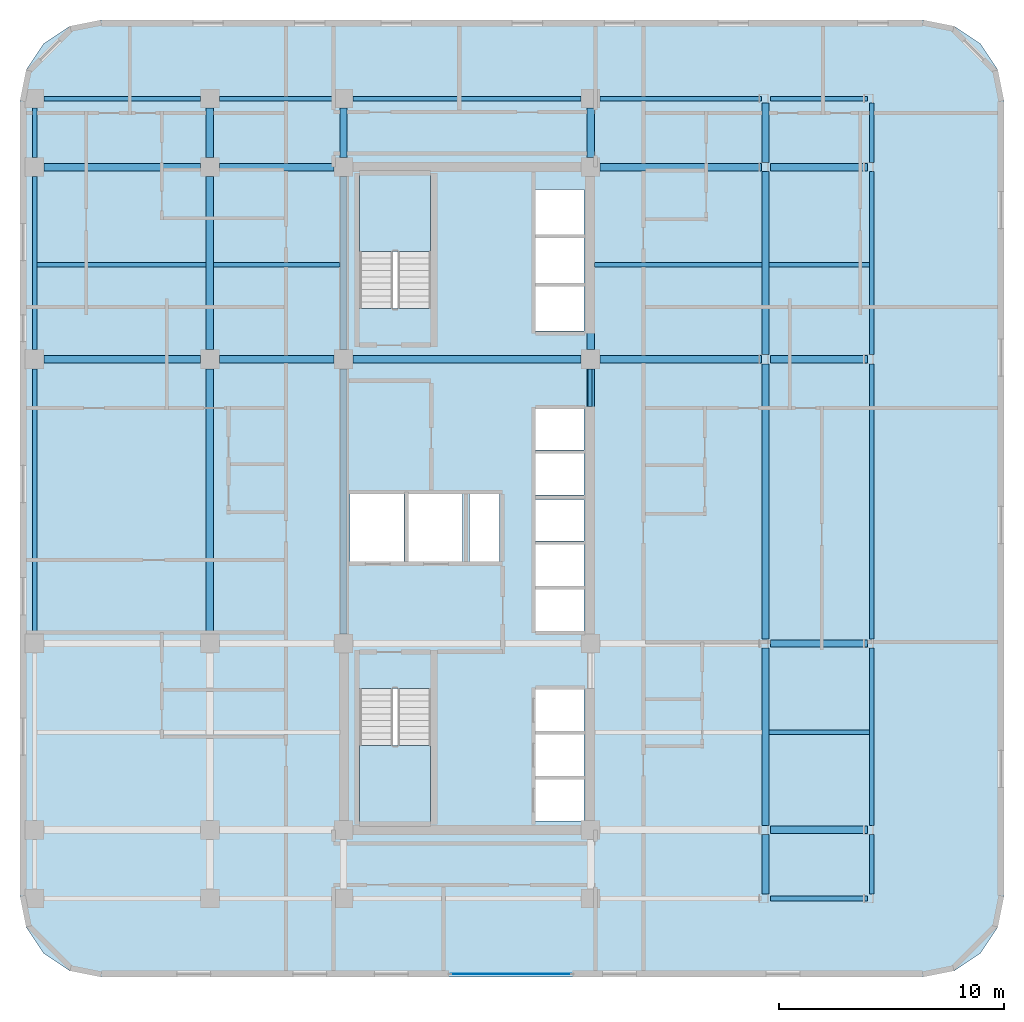
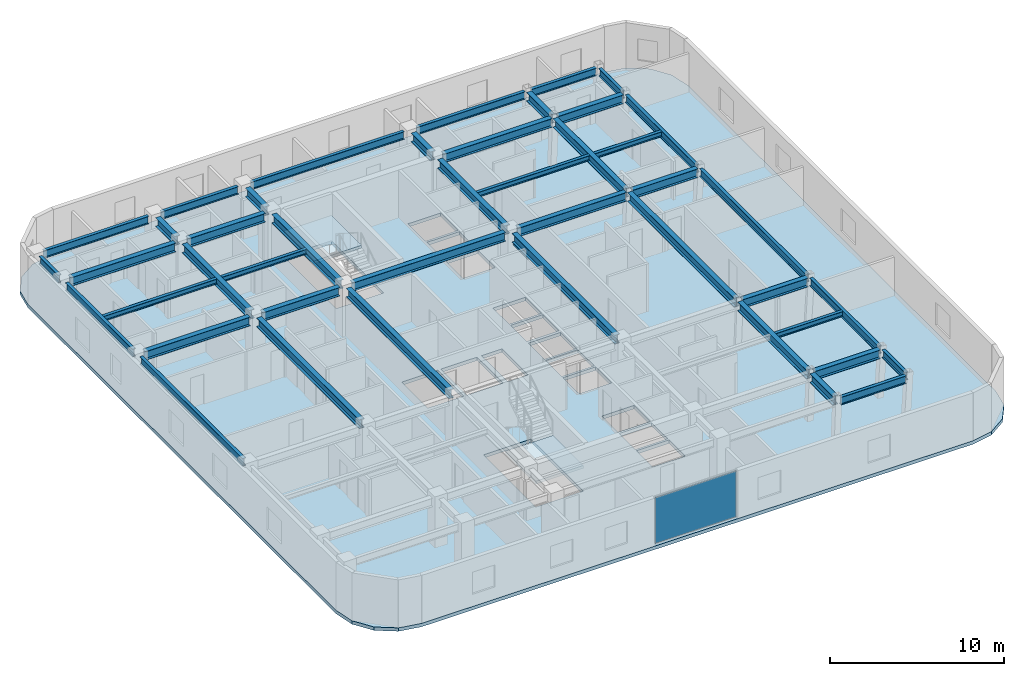
# One storey, part 3 of 9: 45 beams, 3 slabs, 1 plate, 3 elements without a shape of their own.
"""IFC4 building model written with IfcOpenShell, lengths in metres."""

from ifc_helpers import new_model, si_unit, direction, frame, origin, origin_2d, place, context, subcontext, project, spatial, polyline, rectangle, i_section, outline, extrude, material, layer, layer_set, material_profile, profile_set, type_object, element, aggregate, save


model = new_model("IFC4")

# Units and contexts
model_context = context("Model", 3, precision=1e-05, world=origin(), true_north=direction((0.0, 1.0)))
body_context = subcontext(model_context, "Body", "Model", "MODEL_VIEW")
ifc_project = project(units=[si_unit("LENGTHUNIT", "METRE"), si_unit("AREAUNIT", "SQUARE_METRE"), si_unit("VOLUMEUNIT", "CUBIC_METRE"), si_unit("PLANEANGLEUNIT", "RADIAN"), si_unit("MASSUNIT", "GRAM", prefix="KILO")], contexts=[model_context])

# Site, building, storey
site_placement = place(None, origin())
site = spatial("IfcSite", under=ifc_project, at=site_placement, CompositionType="ELEMENT")
building_placement = place(site_placement, origin())
building = spatial("IfcBuilding", under=site, at=building_placement, Name="Ochreholt Gables", CompositionType="ELEMENT")
storey_placement = place(building_placement, frame((0.0, 0.0, 84.0)))
storey = spatial("IfcBuildingStorey", under=building, at=storey_placement, Name="L21", CompositionType="ELEMENT", Elevation=84.0)

# Beams
ifc_material_1 = material(Name="Steel CSA G40.21 350W", Category="steel")
ifc_material_profile_1 = material_profile(ifc_material_1, i_section(OverallWidth=0.323974609375, OverallDepth=0.611083984375, WebThickness=0.0126953125, FlangeThickness=0.01904296875, at=origin_2d()), Name="W610X155")
ifc_profile_set_1 = profile_set([ifc_material_profile_1], Name="Steel CSA G40.21 350W")
beam_type_1 = type_object("IfcBeamType", Name="BM-G-W610A", PredefinedType="BEAM", material=ifc_profile_set_1)
for number, where, z_axis, x_axis, name in (
    (1, (43.20458984375, 9.25, 3.054443359375), (1.0, 0.0, 0.0), (0.0, 1.0, 0.0), "L21 Beam TBG-L21-EMEE-Y2"),
    (2, (43.20458984375, 17.550048828125, 3.054443359375), (1.0, 0.0, 0.0), (0.0, 1.0, 0.0), "L21 Beam TBG-L21-EMEE-Y3"),
):
    element("IfcBeam", number, at=place(storey_placement, frame(where, z_axis=z_axis, x_axis=x_axis)), inside=storey, type_object=beam_type_1, Name=name, PredefinedType="BEAM", context=body_context, shape_type="SweptSolid", body=[
        extrude(i_section(OverallWidth=0.323974609375, OverallDepth=0.611083984375, WebThickness=0.0126953125, FlangeThickness=0.01904296875, at=origin_2d()), origin(), (0.0, 0.0, 1.0), 4.330322265625),
    ])
beam_1_placement = place(storey_placement, frame((10.87451171875, 30.199951171875, 3.054443359375), z_axis=(1.0, 0.0, 0.0), x_axis=(0.0, 1.0, 0.0)))
element("IfcBeam", 3, at=beam_1_placement, inside=storey, type_object=beam_type_1, Name="L21 Beam TBG-L21-W2W3-Y4", PredefinedType="BEAM", context=body_context, shape_type="SweptSolid", body=[
    extrude(i_section(OverallWidth=0.323974609375, OverallDepth=0.611083984375, WebThickness=0.0126953125, FlangeThickness=0.01904296875, at=origin_2d()), origin(), (0.0, 0.0, 1.0), 6.950927734375),
])
beam_2_placement = place(storey_placement, frame((18.674560546875, 30.199951171875, 3.054443359375), z_axis=(1.0, 0.0, 0.0), x_axis=(0.0, 1.0, 0.0)))
element("IfcBeam", 4, at=beam_2_placement, inside=storey, type_object=beam_type_1, Name="L21 Beam TBG-L21-W3C1-Y4", PredefinedType="BEAM", context=body_context, shape_type="SweptSolid", body=[
    extrude(i_section(OverallWidth=0.323974609375, OverallDepth=0.611083984375, WebThickness=0.0126953125, FlangeThickness=0.01904296875, at=origin_2d()), origin(), (0.0, 0.0, 1.0), 5.100830078125),
])
beam_3_placement = place(storey_placement, frame((24.62451171875, 30.199951171875, 3.054443359375), z_axis=(1.0, 0.0, 0.0), x_axis=(0.0, 1.0, 0.0)))
element("IfcBeam", 5, at=beam_3_placement, inside=storey, type_object=beam_type_1, Name="L21 Beam TBG-L21-C1C2-Y4", PredefinedType="BEAM", context=body_context, shape_type="SweptSolid", body=[
    extrude(i_section(OverallWidth=0.323974609375, OverallDepth=0.611083984375, WebThickness=0.0126953125, FlangeThickness=0.01904296875, at=origin_2d()), origin(), (0.0, 0.0, 1.0), 10.15087890625),
])
beam_4_placement = place(storey_placement, frame((35.62451171875, 30.199951171875, 3.054443359375), z_axis=(1.0, 0.0, 0.0), x_axis=(0.0, 1.0, 0.0)))
element("IfcBeam", 6, at=beam_4_placement, inside=storey, type_object=beam_type_1, Name="L21 Beam TBG-L21-C2EM-Y4", PredefinedType="BEAM", context=body_context, shape_type="SweptSolid", body=[
    extrude(i_section(OverallWidth=0.323974609375, OverallDepth=0.611083984375, WebThickness=0.0126953125, FlangeThickness=0.01904296875, at=origin_2d()), origin(), (0.0, 0.0, 1.0), 7.1748046875),
])
beam_5_placement = place(storey_placement, frame((43.20458984375, 30.199951171875, 3.054443359375), z_axis=(1.0, 0.0, 0.0), x_axis=(0.0, 1.0, 0.0)))
element("IfcBeam", 7, at=beam_5_placement, inside=storey, type_object=beam_type_1, Name="L21 Beam TBG-L21-EMEE-Y4", PredefinedType="BEAM", context=body_context, shape_type="SweptSolid", body=[
    extrude(i_section(OverallWidth=0.323974609375, OverallDepth=0.611083984375, WebThickness=0.0126953125, FlangeThickness=0.01904296875, at=origin_2d()), origin(), (0.0, 0.0, 1.0), 4.330322265625),
])
beam_6_placement = place(storey_placement, frame((10.87451171875, 38.75, 3.054443359375), z_axis=(1.0, 0.0, 0.0), x_axis=(0.0, 1.0, 0.0)))
element("IfcBeam", 8, at=beam_6_placement, inside=storey, type_object=beam_type_1, Name="L21 Beam TBG-L21-W2W3-Y5", PredefinedType="BEAM", context=body_context, shape_type="SweptSolid", body=[
    extrude(i_section(OverallWidth=0.323974609375, OverallDepth=0.611083984375, WebThickness=0.0126953125, FlangeThickness=0.01904296875, at=origin_2d()), origin(), (0.0, 0.0, 1.0), 6.950927734375),
])
beam_7_placement = place(storey_placement, frame((18.674560546875, 38.75, 3.054443359375), z_axis=(1.0, 0.0, 0.0), x_axis=(0.0, 1.0, 0.0)))
element("IfcBeam", 9, at=beam_7_placement, inside=storey, type_object=beam_type_1, Name="L21 Beam TBG-L21-W3C1-Y5", PredefinedType="BEAM", context=body_context, shape_type="SweptSolid", body=[
    extrude(i_section(OverallWidth=0.323974609375, OverallDepth=0.611083984375, WebThickness=0.0126953125, FlangeThickness=0.01904296875, at=origin_2d()), origin(), (0.0, 0.0, 1.0), 5.100830078125),
])
beam_8_placement = place(storey_placement, frame((35.62451171875, 38.75, 3.054443359375), z_axis=(1.0, 0.0, 0.0), x_axis=(0.0, 1.0, 0.0)))
element("IfcBeam", 10, at=beam_8_placement, inside=storey, type_object=beam_type_1, Name="L21 Beam TBG-L21-C2EM-Y5", PredefinedType="BEAM", context=body_context, shape_type="SweptSolid", body=[
    extrude(i_section(OverallWidth=0.323974609375, OverallDepth=0.611083984375, WebThickness=0.0126953125, FlangeThickness=0.01904296875, at=origin_2d()), origin(), (0.0, 0.0, 1.0), 7.1748046875),
])
beam_9_placement = place(storey_placement, frame((43.20458984375, 38.75, 3.054443359375), z_axis=(1.0, 0.0, 0.0), x_axis=(0.0, 1.0, 0.0)))
element("IfcBeam", 11, at=beam_9_placement, inside=storey, type_object=beam_type_1, Name="L21 Beam TBG-L21-EMEE-Y5", PredefinedType="BEAM", context=body_context, shape_type="SweptSolid", body=[
    extrude(i_section(OverallWidth=0.323974609375, OverallDepth=0.611083984375, WebThickness=0.0126953125, FlangeThickness=0.01904296875, at=origin_2d()), origin(), (0.0, 0.0, 1.0), 4.330322265625),
])
beam_10_placement = place(storey_placement, frame((18.25, 17.974609375, 3.054443359375), z_axis=(0.0, 1.0, 0.0), x_axis=(-1.0, 0.0, 0.0)))
element("IfcBeam", 12, at=beam_10_placement, inside=storey, type_object=beam_type_1, Name="L21 Beam TBN-L21-W3-Y3Y4", PredefinedType="BEAM", context=body_context, shape_type="SweptSolid", body=[
    extrude(i_section(OverallWidth=0.323974609375, OverallDepth=0.611083984375, WebThickness=0.0126953125, FlangeThickness=0.01904296875, at=origin_2d()), origin(), (0.0, 0.0, 1.0), 11.80078125),
])
beam_11_placement = place(storey_placement, frame((18.25, 30.62451171875, 3.054443359375), z_axis=(0.0, 1.0, 0.0), x_axis=(-1.0, 0.0, 0.0)))
element("IfcBeam", 13, at=beam_11_placement, inside=storey, type_object=beam_type_1, Name="L21 Beam TBN-L21-W3-Y4Y5", PredefinedType="BEAM", context=body_context, shape_type="SweptSolid", body=[
    extrude(i_section(OverallWidth=0.323974609375, OverallDepth=0.611083984375, WebThickness=0.0126953125, FlangeThickness=0.01904296875, at=origin_2d()), origin(), (0.0, 0.0, 1.0), 7.700927734375),
])
beam_12_placement = place(storey_placement, frame((18.25, 39.174560546875, 3.054443359375), z_axis=(0.0, 1.0, 0.0), x_axis=(-1.0, 0.0, 0.0)))
element("IfcBeam", 14, at=beam_12_placement, inside=storey, type_object=beam_type_1, Name="L21 Beam TBN-L21-W3-Y5Y6", PredefinedType="BEAM", context=body_context, shape_type="SweptSolid", body=[
    extrude(i_section(OverallWidth=0.323974609375, OverallDepth=0.611083984375, WebThickness=0.0126953125, FlangeThickness=0.01904296875, at=origin_2d()), origin(), (0.0, 0.0, 1.0), 2.200927734375),
])
beam_13_placement = place(storey_placement, frame((24.199951171875, 17.974609375, 3.054443359375), z_axis=(0.0, 1.0, 0.0), x_axis=(-1.0, 0.0, 0.0)))
element("IfcBeam", 15, at=beam_13_placement, inside=storey, type_object=beam_type_1, Name="L21 Beam TBN-L21-C1-Y3Y4", PredefinedType="BEAM", context=body_context, shape_type="SweptSolid", body=[
    extrude(i_section(OverallWidth=0.323974609375, OverallDepth=0.611083984375, WebThickness=0.0126953125, FlangeThickness=0.01904296875, at=origin_2d()), origin(), (0.0, 0.0, 1.0), 11.80078125),
])
beam_14_placement = place(storey_placement, frame((24.199951171875, 30.62451171875, 3.054443359375), z_axis=(0.0, 1.0, 0.0), x_axis=(-1.0, 0.0, 0.0)))
element("IfcBeam", 16, at=beam_14_placement, inside=storey, type_object=beam_type_1, Name="L21 Beam TBN-L21-C1-Y4Y5", PredefinedType="BEAM", context=body_context, shape_type="SweptSolid", body=[
    extrude(i_section(OverallWidth=0.323974609375, OverallDepth=0.611083984375, WebThickness=0.0126953125, FlangeThickness=0.01904296875, at=origin_2d()), origin(), (0.0, 0.0, 1.0), 7.700927734375),
])
beam_15_placement = place(storey_placement, frame((24.199951171875, 39.174560546875, 3.054443359375), z_axis=(0.0, 1.0, 0.0), x_axis=(-1.0, 0.0, 0.0)))
element("IfcBeam", 17, at=beam_15_placement, inside=storey, type_object=beam_type_1, Name="L21 Beam TBN-L21-C1-Y5Y6", PredefinedType="BEAM", context=body_context, shape_type="SweptSolid", body=[
    extrude(i_section(OverallWidth=0.323974609375, OverallDepth=0.611083984375, WebThickness=0.0126953125, FlangeThickness=0.01904296875, at=origin_2d()), origin(), (0.0, 0.0, 1.0), 2.200927734375),
])
beam_16_placement = place(storey_placement, frame((35.199951171875, 17.974609375, 3.054443359375), z_axis=(0.0, 1.0, 0.0), x_axis=(-1.0, 0.0, 0.0)))
element("IfcBeam", 18, at=beam_16_placement, inside=storey, type_object=beam_type_1, Name="L21 Beam TBN-L21-C2-Y3Y4", PredefinedType="BEAM", context=body_context, shape_type="SweptSolid", body=[
    extrude(i_section(OverallWidth=0.323974609375, OverallDepth=0.611083984375, WebThickness=0.0126953125, FlangeThickness=0.01904296875, at=origin_2d()), origin(), (0.0, 0.0, 1.0), 11.80078125),
])
beam_17_placement = place(storey_placement, frame((35.199951171875, 30.62451171875, 3.054443359375), z_axis=(0.0, 1.0, 0.0), x_axis=(-1.0, 0.0, 0.0)))
element("IfcBeam", 19, at=beam_17_placement, inside=storey, type_object=beam_type_1, Name="L21 Beam TBN-L21-C2-Y4Y5", PredefinedType="BEAM", context=body_context, shape_type="SweptSolid", body=[
    extrude(i_section(OverallWidth=0.323974609375, OverallDepth=0.611083984375, WebThickness=0.0126953125, FlangeThickness=0.01904296875, at=origin_2d()), origin(), (0.0, 0.0, 1.0), 7.700927734375),
])
beam_18_placement = place(storey_placement, frame((35.199951171875, 39.174560546875, 3.054443359375), z_axis=(0.0, 1.0, 0.0), x_axis=(-1.0, 0.0, 0.0)))
element("IfcBeam", 20, at=beam_18_placement, inside=storey, type_object=beam_type_1, Name="L21 Beam TBN-L21-C2-Y5Y6", PredefinedType="BEAM", context=body_context, shape_type="SweptSolid", body=[
    extrude(i_section(OverallWidth=0.323974609375, OverallDepth=0.611083984375, WebThickness=0.0126953125, FlangeThickness=0.01904296875, at=origin_2d()), origin(), (0.0, 0.0, 1.0), 2.200927734375),
])
beam_19_placement = place(storey_placement, frame((42.98486328125, 6.402587890625, 3.054443359375), z_axis=(0.0, 1.0, 0.0), x_axis=(-1.0, 0.0, 0.0)))
element("IfcBeam", 21, at=beam_19_placement, inside=storey, type_object=beam_type_1, Name="L21 Beam TBN-L21-EM-Y1Y2", PredefinedType="BEAM", context=body_context, shape_type="SweptSolid", body=[
    extrude(i_section(OverallWidth=0.323974609375, OverallDepth=0.611083984375, WebThickness=0.0126953125, FlangeThickness=0.01904296875, at=origin_2d()), origin(), (0.0, 0.0, 1.0), 2.644775390625),
])
beam_20_placement = place(storey_placement, frame((42.98486328125, 9.45263671875, 3.054443359375), z_axis=(0.0, 1.0, 0.0), x_axis=(-1.0, 0.0, 0.0)))
element("IfcBeam", 22, at=beam_20_placement, inside=storey, type_object=beam_type_1, Name="L21 Beam TBN-L21-EM-Y2Y3", PredefinedType="BEAM", context=body_context, shape_type="SweptSolid", body=[
    extrude(i_section(OverallWidth=0.323974609375, OverallDepth=0.611083984375, WebThickness=0.0126953125, FlangeThickness=0.01904296875, at=origin_2d()), origin(), (0.0, 0.0, 1.0), 7.894775390625),
])
beam_21_placement = place(storey_placement, frame((42.98486328125, 17.752685546875, 3.054443359375), z_axis=(0.0, 1.0, 0.0), x_axis=(-1.0, 0.0, 0.0)))
element("IfcBeam", 23, at=beam_21_placement, inside=storey, type_object=beam_type_1, Name="L21 Beam TBN-L21-EM-Y3Y4", PredefinedType="BEAM", context=body_context, shape_type="SweptSolid", body=[
    extrude(i_section(OverallWidth=0.323974609375, OverallDepth=0.611083984375, WebThickness=0.0126953125, FlangeThickness=0.01904296875, at=origin_2d()), origin(), (0.0, 0.0, 1.0), 12.24462890625),
])
beam_22_placement = place(storey_placement, frame((42.98486328125, 30.402587890625, 3.054443359375), z_axis=(0.0, 1.0, 0.0), x_axis=(-1.0, 0.0, 0.0)))
element("IfcBeam", 24, at=beam_22_placement, inside=storey, type_object=beam_type_1, Name="L21 Beam TBN-L21-EM-Y4Y5", PredefinedType="BEAM", context=body_context, shape_type="SweptSolid", body=[
    extrude(i_section(OverallWidth=0.323974609375, OverallDepth=0.611083984375, WebThickness=0.0126953125, FlangeThickness=0.01904296875, at=origin_2d()), origin(), (0.0, 0.0, 1.0), 8.144775390625),
])
beam_23_placement = place(storey_placement, frame((42.98486328125, 38.95263671875, 3.054443359375), z_axis=(0.0, 1.0, 0.0), x_axis=(-1.0, 0.0, 0.0)))
element("IfcBeam", 25, at=beam_23_placement, inside=storey, type_object=beam_type_1, Name="L21 Beam TBN-L21-EM-Y5Y6", PredefinedType="BEAM", context=body_context, shape_type="SweptSolid", body=[
    extrude(i_section(OverallWidth=0.323974609375, OverallDepth=0.611083984375, WebThickness=0.0126953125, FlangeThickness=0.01904296875, at=origin_2d()), origin(), (0.0, 0.0, 1.0), 2.644775390625),
])
ifc_material_profile_2 = material_profile(ifc_material_1, i_section(OverallWidth=0.205078125, OverallDepth=0.35400390625, WebThickness=0.009521484375, FlangeThickness=0.016845703125, at=origin_2d()), Name="W360X79")
ifc_profile_set_2 = profile_set([ifc_material_profile_2], Name="Steel CSA G40.21 350W")
beam_type_2 = type_object("IfcBeamType", Name="BM-J-W360A", PredefinedType="JOIST", material=ifc_profile_set_2)
beam_24_placement = place(storey_placement, frame((43.146484375, 13.60009765625, 3.18310546875), z_axis=(1.0, 0.0, 0.0), x_axis=(0.0, 1.0, 0.0)))
element("IfcBeam", 26, at=beam_24_placement, inside=storey, type_object=beam_type_2, Name="L21 Beam TBJ-L21-J1-EMEE", PredefinedType="JOIST", context=body_context, shape_type="SweptSolid", body=[
    extrude(i_section(OverallWidth=0.205078125, OverallDepth=0.35400390625, WebThickness=0.009521484375, FlangeThickness=0.016845703125, at=origin_2d()), origin(), (0.0, 0.0, 1.0), 4.45849609375),
])
beam_25_placement = place(storey_placement, frame((10.55419921875, 34.39990234375, 3.18310546875), z_axis=(1.0, 0.0, 0.0), x_axis=(0.0, 1.0, 0.0)))
element("IfcBeam", 27, at=beam_25_placement, inside=storey, type_object=beam_type_2, Name="L21 Beam TBJ-L21-J2-W2W3", PredefinedType="JOIST", context=body_context, shape_type="SweptSolid", body=[
    extrude(i_section(OverallWidth=0.205078125, OverallDepth=0.35400390625, WebThickness=0.009521484375, FlangeThickness=0.016845703125, at=origin_2d()), origin(), (0.0, 0.0, 1.0), 7.5341796875),
])
beam_26_placement = place(storey_placement, frame((18.41162109375, 34.39990234375, 3.18310546875), z_axis=(1.0, 0.0, 0.0), x_axis=(0.0, 1.0, 0.0)))
element("IfcBeam", 28, at=beam_26_placement, inside=storey, type_object=beam_type_2, Name="L21 Beam TBJ-L21-J2-W3C1", PredefinedType="JOIST", context=body_context, shape_type="SweptSolid", body=[
    extrude(i_section(OverallWidth=0.205078125, OverallDepth=0.35400390625, WebThickness=0.009521484375, FlangeThickness=0.016845703125, at=origin_2d()), origin(), (0.0, 0.0, 1.0), 5.626708984375),
])
beam_27_placement = place(storey_placement, frame((35.361572265625, 34.39990234375, 3.18310546875), z_axis=(1.0, 0.0, 0.0), x_axis=(0.0, 1.0, 0.0)))
element("IfcBeam", 29, at=beam_27_placement, inside=storey, type_object=beam_type_2, Name="L21 Beam TBJ-L21-J2-C2EM", PredefinedType="JOIST", context=body_context, shape_type="SweptSolid", body=[
    extrude(i_section(OverallWidth=0.205078125, OverallDepth=0.35400390625, WebThickness=0.009521484375, FlangeThickness=0.016845703125, at=origin_2d()), origin(), (0.0, 0.0, 1.0), 7.461669921875),
])
beam_28_placement = place(storey_placement, frame((43.146484375, 34.39990234375, 3.18310546875), z_axis=(1.0, 0.0, 0.0), x_axis=(0.0, 1.0, 0.0)))
element("IfcBeam", 30, at=beam_28_placement, inside=storey, type_object=beam_type_2, Name="L21 Beam TBJ-L21-J2-EMEE", PredefinedType="JOIST", context=body_context, shape_type="SweptSolid", body=[
    extrude(i_section(OverallWidth=0.205078125, OverallDepth=0.35400390625, WebThickness=0.009521484375, FlangeThickness=0.016845703125, at=origin_2d()), origin(), (0.0, 0.0, 1.0), 4.45849609375),
])
ifc_material_profile_3 = material_profile(ifc_material_1, i_section(OverallWidth=0.1650390625, OverallDepth=0.200927734375, WebThickness=0.006103515625, FlangeThickness=0.01025390625, at=origin_2d()), Name="W200X36")
ifc_profile_set_3 = profile_set([ifc_material_profile_3], Name="Steel CSA G40.21 350W")
beam_type_3 = type_object("IfcBeamType", Name="BM-LIN-W200", PredefinedType="LINTEL", material=ifc_profile_set_3)
beam_29_placement = place(storey_placement, frame((35.175048828125, 28.10009765625, 2.6484375), z_axis=(0.0, 1.0, 0.0), x_axis=(-1.0, 0.0, 0.0)))
element("IfcBeam", 31, at=beam_29_placement, inside=storey, type_object=beam_type_3, Name="L21 Core Coupling Lintel CPN", PredefinedType="LINTEL", context=body_context, shape_type="SweptSolid", body=[
    extrude(i_section(OverallWidth=0.1650390625, OverallDepth=0.200927734375, WebThickness=0.006103515625, FlangeThickness=0.01025390625, at=origin_2d()), origin(), (0.0, 0.0, 1.0), 1.6748046875),
])
ifc_material_profile_4 = material_profile(ifc_material_1, i_section(OverallWidth=0.208984375, OverallDepth=0.532958984375, WebThickness=0.01025390625, FlangeThickness=0.015625, at=origin_2d()), Name="W530X92")
ifc_profile_set_4 = profile_set([ifc_material_profile_4], Name="Steel CSA G40.21 350W")
beam_type_4 = type_object("IfcBeamType", Name="BM-SP-W530B", PredefinedType="SPANDREL", material=ifc_profile_set_4)
beam_30_placement = place(storey_placement, frame((43.20458984375, 6.199951171875, 3.093505859375), z_axis=(1.0, 0.0, 0.0), x_axis=(0.0, 1.0, 0.0)))
element("IfcBeam", 32, at=beam_30_placement, inside=storey, type_object=beam_type_4, Name="L21 Beam TBG-L21-EMEE-Y1", PredefinedType="SPANDREL", context=body_context, shape_type="SweptSolid", body=[
    extrude(i_section(OverallWidth=0.208984375, OverallDepth=0.532958984375, WebThickness=0.01025390625, FlangeThickness=0.015625, at=origin_2d()), origin(), (0.0, 0.0, 1.0), 4.330322265625),
])
beam_31_placement = place(storey_placement, frame((10.87451171875, 41.800048828125, 3.093505859375), z_axis=(1.0, 0.0, 0.0), x_axis=(0.0, 1.0, 0.0)))
element("IfcBeam", 33, at=beam_31_placement, inside=storey, type_object=beam_type_4, Name="L21 Beam TBG-L21-W2W3-Y6", PredefinedType="SPANDREL", context=body_context, shape_type="SweptSolid", body=[
    extrude(i_section(OverallWidth=0.208984375, OverallDepth=0.532958984375, WebThickness=0.01025390625, FlangeThickness=0.015625, at=origin_2d()), origin(), (0.0, 0.0, 1.0), 6.950927734375),
])
beam_32_placement = place(storey_placement, frame((18.674560546875, 41.800048828125, 3.093505859375), z_axis=(1.0, 0.0, 0.0), x_axis=(0.0, 1.0, 0.0)))
element("IfcBeam", 34, at=beam_32_placement, inside=storey, type_object=beam_type_4, Name="L21 Beam TBG-L21-W3C1-Y6", PredefinedType="SPANDREL", context=body_context, shape_type="SweptSolid", body=[
    extrude(i_section(OverallWidth=0.208984375, OverallDepth=0.532958984375, WebThickness=0.01025390625, FlangeThickness=0.015625, at=origin_2d()), origin(), (0.0, 0.0, 1.0), 5.100830078125),
])
beam_33_placement = place(storey_placement, frame((24.62451171875, 41.800048828125, 3.093505859375), z_axis=(1.0, 0.0, 0.0), x_axis=(0.0, 1.0, 0.0)))
element("IfcBeam", 35, at=beam_33_placement, inside=storey, type_object=beam_type_4, Name="L21 Beam TBG-L21-C1C2-Y6", PredefinedType="SPANDREL", context=body_context, shape_type="SweptSolid", body=[
    extrude(i_section(OverallWidth=0.208984375, OverallDepth=0.532958984375, WebThickness=0.01025390625, FlangeThickness=0.015625, at=origin_2d()), origin(), (0.0, 0.0, 1.0), 10.15087890625),
])
beam_34_placement = place(storey_placement, frame((35.62451171875, 41.800048828125, 3.093505859375), z_axis=(1.0, 0.0, 0.0), x_axis=(0.0, 1.0, 0.0)))
element("IfcBeam", 36, at=beam_34_placement, inside=storey, type_object=beam_type_4, Name="L21 Beam TBG-L21-C2EM-Y6", PredefinedType="SPANDREL", context=body_context, shape_type="SweptSolid", body=[
    extrude(i_section(OverallWidth=0.208984375, OverallDepth=0.532958984375, WebThickness=0.01025390625, FlangeThickness=0.015625, at=origin_2d()), origin(), (0.0, 0.0, 1.0), 7.1748046875),
])
beam_35_placement = place(storey_placement, frame((43.20458984375, 41.800048828125, 3.093505859375), z_axis=(1.0, 0.0, 0.0), x_axis=(0.0, 1.0, 0.0)))
element("IfcBeam", 37, at=beam_35_placement, inside=storey, type_object=beam_type_4, Name="L21 Beam TBG-L21-EMEE-Y6", PredefinedType="SPANDREL", context=body_context, shape_type="SweptSolid", body=[
    extrude(i_section(OverallWidth=0.208984375, OverallDepth=0.532958984375, WebThickness=0.01025390625, FlangeThickness=0.015625, at=origin_2d()), origin(), (0.0, 0.0, 1.0), 4.330322265625),
])
beam_36_placement = place(storey_placement, frame((10.449951171875, 17.974609375, 3.093505859375), z_axis=(0.0, 1.0, 0.0), x_axis=(-1.0, 0.0, 0.0)))
element("IfcBeam", 38, at=beam_36_placement, inside=storey, type_object=beam_type_4, Name="L21 Beam TBN-L21-W2-Y3Y4", PredefinedType="SPANDREL", context=body_context, shape_type="SweptSolid", body=[
    extrude(i_section(OverallWidth=0.208984375, OverallDepth=0.532958984375, WebThickness=0.01025390625, FlangeThickness=0.015625, at=origin_2d()), origin(), (0.0, 0.0, 1.0), 11.80078125),
])
beam_37_placement = place(storey_placement, frame((10.449951171875, 30.62451171875, 3.093505859375), z_axis=(0.0, 1.0, 0.0), x_axis=(-1.0, 0.0, 0.0)))
element("IfcBeam", 39, at=beam_37_placement, inside=storey, type_object=beam_type_4, Name="L21 Beam TBN-L21-W2-Y4Y5", PredefinedType="SPANDREL", context=body_context, shape_type="SweptSolid", body=[
    extrude(i_section(OverallWidth=0.208984375, OverallDepth=0.532958984375, WebThickness=0.01025390625, FlangeThickness=0.015625, at=origin_2d()), origin(), (0.0, 0.0, 1.0), 7.700927734375),
])
beam_38_placement = place(storey_placement, frame((10.449951171875, 39.174560546875, 3.093505859375), z_axis=(0.0, 1.0, 0.0), x_axis=(-1.0, 0.0, 0.0)))
element("IfcBeam", 40, at=beam_38_placement, inside=storey, type_object=beam_type_4, Name="L21 Beam TBN-L21-W2-Y5Y6", PredefinedType="SPANDREL", context=body_context, shape_type="SweptSolid", body=[
    extrude(i_section(OverallWidth=0.208984375, OverallDepth=0.532958984375, WebThickness=0.01025390625, FlangeThickness=0.015625, at=origin_2d()), origin(), (0.0, 0.0, 1.0), 2.200927734375),
])
beam_39_placement = place(storey_placement, frame((47.709228515625, 6.402587890625, 3.093505859375), z_axis=(0.0, 1.0, 0.0), x_axis=(-1.0, 0.0, 0.0)))
element("IfcBeam", 41, at=beam_39_placement, inside=storey, type_object=beam_type_4, Name="L21 Beam TBN-L21-EE-Y1Y2", PredefinedType="SPANDREL", context=body_context, shape_type="SweptSolid", body=[
    extrude(i_section(OverallWidth=0.208984375, OverallDepth=0.532958984375, WebThickness=0.01025390625, FlangeThickness=0.015625, at=origin_2d()), origin(), (0.0, 0.0, 1.0), 2.644775390625),
])
beam_40_placement = place(storey_placement, frame((47.709228515625, 9.45263671875, 3.093505859375), z_axis=(0.0, 1.0, 0.0), x_axis=(-1.0, 0.0, 0.0)))
element("IfcBeam", 42, at=beam_40_placement, inside=storey, type_object=beam_type_4, Name="L21 Beam TBN-L21-EE-Y2Y3", PredefinedType="SPANDREL", context=body_context, shape_type="SweptSolid", body=[
    extrude(i_section(OverallWidth=0.208984375, OverallDepth=0.532958984375, WebThickness=0.01025390625, FlangeThickness=0.015625, at=origin_2d()), origin(), (0.0, 0.0, 1.0), 7.894775390625),
])
beam_41_placement = place(storey_placement, frame((47.709228515625, 17.752685546875, 3.093505859375), z_axis=(0.0, 1.0, 0.0), x_axis=(-1.0, 0.0, 0.0)))
element("IfcBeam", 43, at=beam_41_placement, inside=storey, type_object=beam_type_4, Name="L21 Beam TBN-L21-EE-Y3Y4", PredefinedType="SPANDREL", context=body_context, shape_type="SweptSolid", body=[
    extrude(i_section(OverallWidth=0.208984375, OverallDepth=0.532958984375, WebThickness=0.01025390625, FlangeThickness=0.015625, at=origin_2d()), origin(), (0.0, 0.0, 1.0), 12.24462890625),
])
beam_42_placement = place(storey_placement, frame((47.709228515625, 30.402587890625, 3.093505859375), z_axis=(0.0, 1.0, 0.0), x_axis=(-1.0, 0.0, 0.0)))
element("IfcBeam", 44, at=beam_42_placement, inside=storey, type_object=beam_type_4, Name="L21 Beam TBN-L21-EE-Y4Y5", PredefinedType="SPANDREL", context=body_context, shape_type="SweptSolid", body=[
    extrude(i_section(OverallWidth=0.208984375, OverallDepth=0.532958984375, WebThickness=0.01025390625, FlangeThickness=0.015625, at=origin_2d()), origin(), (0.0, 0.0, 1.0), 8.144775390625),
])
beam_43_placement = place(storey_placement, frame((47.709228515625, 38.95263671875, 3.093505859375), z_axis=(0.0, 1.0, 0.0), x_axis=(-1.0, 0.0, 0.0)))
element("IfcBeam", 45, at=beam_43_placement, inside=storey, type_object=beam_type_4, Name="L21 Beam TBN-L21-EE-Y5Y6", PredefinedType="SPANDREL", context=body_context, shape_type="SweptSolid", body=[
    extrude(i_section(OverallWidth=0.208984375, OverallDepth=0.532958984375, WebThickness=0.01025390625, FlangeThickness=0.015625, at=origin_2d()), origin(), (0.0, 0.0, 1.0), 2.644775390625),
])

# Curtain wall, plate
ifc_material_2 = material(Name="Unitised Aluminium and Triple Glazing", Category="aluminium")
ifc_layer_1 = layer(ifc_material_2, 0.18994140625, Name="Unitised Aluminium and Triple Glazing")
ifc_layer_set_1 = layer_set([ifc_layer_1], Name="Unitised Aluminium and Triple Glazing")
curtain_wall_type = type_object("IfcCurtainWallType", Name="CW-SYS3", PredefinedType="NOTDEFINED", material=ifc_layer_set_1)
curtain_wall_placement = place(storey_placement, origin())
curtain_wall = element("IfcCurtainWall", 46, at=curtain_wall_placement, inside=storey, type_object=curtain_wall_type, Name="L21 South Unitised Curtain Wall", PredefinedType="NOTDEFINED")
ifc_material_3 = material(Name="Triple Low-E Insulating Glass", Category="glass")
ifc_layer_2 = layer(ifc_material_3, 0.033935546875, Name="Triple Low-E Insulating Glass")
ifc_layer_set_2 = layer_set([ifc_layer_2], Name="Triple Low-E Insulating Glass")
plate_type = type_object("IfcPlateType", Name="CW-PNL-34", PredefinedType="CURTAIN_PANEL", material=ifc_layer_set_2)
plate_placement = place(storey_placement, frame((31.650634765625, 2.840087890625, 0.074951171875), z_axis=(0.0, 0.0, 1.0), x_axis=(1.0, 0.0, 0.0)))
plate = element("IfcPlate", 47, at=plate_placement, type_object=plate_type, Name="CW-3 panel 1.1", PredefinedType="CURTAIN_PANEL", context=body_context, shape_type="SweptSolid", body=[
    extrude(rectangle(XDim=5.36865234375, YDim=0.033935546875, at=origin_2d()), origin(), (0.0, 0.0, 1.0), 3.2099609375),
])
aggregate(curtain_wall, [plate])

# Stair, slab
ifc_material_4 = material(Name="Concrete 40 MPa", Category="concrete")
stair_type_1 = type_object("IfcStairType", Name="STAIR-CORE-ST-1", PredefinedType="HALF_TURN_STAIR", material=ifc_material_4)
stair_1_placement = place(storey_placement, origin())
stair_1 = element("IfcStair", 48, at=stair_1_placement, inside=storey, type_object=stair_type_1, Name="L21 Core Exit Stair 1", PredefinedType="HALF_TURN_STAIR")
ifc_layer_3 = layer(ifc_material_4, 0.199951171875, Name="Concrete 40 MPa")
ifc_layer_set_3 = layer_set([ifc_layer_3], Name="Concrete 40 MPa")
slab_type_1 = type_object("IfcSlabType", Name="LANDING-RC200", PredefinedType="LANDING", material=ifc_layer_set_3)
slab_1_placement = place(storey_placement, frame((0.0, 0.0, 1.60009765625)))
slab_1 = element("IfcSlab", 49, at=slab_1_placement, type_object=slab_type_1, Name="ST-1 landing 1", PredefinedType="LANDING", context=body_context, shape_type="SweptSolid", body=[
    extrude(outline(polyline([(24.919921875, 13.001953125), (24.919921875, 9.52001953125), (28.080078125, 9.52001953125), (28.080078125, 13.001953125), (24.919921875, 13.001953125)])), origin(), (0.0, 0.0, 1.0), 0.199951171875),
])
aggregate(stair_1, [slab_1])

stair_type_2 = type_object("IfcStairType", Name="STAIR-CORE-ST-2", PredefinedType="HALF_TURN_STAIR", material=ifc_material_4)
stair_2_placement = place(storey_placement, origin())
stair_2 = element("IfcStair", 50, at=stair_2_placement, inside=storey, type_object=stair_type_2, Name="L21 Core Exit Stair 2", PredefinedType="HALF_TURN_STAIR")
slab_2_placement = place(storey_placement, frame((0.0, 0.0, 1.60009765625)))
slab_2 = element("IfcSlab", 51, at=slab_2_placement, type_object=slab_type_1, Name="ST-2 landing 1", PredefinedType="LANDING", context=body_context, shape_type="SweptSolid", body=[
    extrude(outline(polyline([(28.080078125, 34.998046875), (28.080078125, 38.47998046875), (24.919921875, 38.47998046875), (24.919921875, 34.998046875), (28.080078125, 34.998046875)])), origin(), (0.0, 0.0, 1.0), 0.199951171875),
])
aggregate(stair_2, [slab_2])

# Slab
ifc_layer_4 = layer(ifc_material_4, 0.239990234375, Name="Concrete 40 MPa")
ifc_layer_set_4 = layer_set([ifc_layer_4], Name="Concrete 40 MPa")
slab_type_2 = type_object("IfcSlabType", Name="SLAB-TWR-240", PredefinedType="FLOOR", material=ifc_layer_set_4)
slab_3_placement = place(storey_placement, frame((0.0, 0.0, -0.239990234375)))
element("IfcSlab", 52, at=slab_3_placement, inside=storey, type_object=slab_type_2, Name="L21 Structural Floor Slab", PredefinedType="FLOOR", context=body_context, shape_type="SweptSolid", body=[
    extrude(outline(polyline([(9.800048828125, 6.300048828125), (10.073974609375, 4.92236328125), (10.8544921875, 3.75439453125), (12.022216796875, 2.97412109375), (13.39990234375, 2.699951171875), (50.0, 2.699951171875), (51.377685546875, 2.97412109375), (52.545654296875, 3.75439453125), (53.325927734375, 4.92236328125), (53.60009765625, 6.300048828125), (53.60009765625, 41.699951171875), (53.325927734375, 43.07763671875), (52.545654296875, 44.24560546875), (51.377685546875, 45.02587890625), (50.0, 45.300048828125), (13.39990234375, 45.300048828125), (12.022216796875, 45.02587890625), (10.8544921875, 44.24560546875), (10.073974609375, 43.07763671875), (9.800048828125, 41.699951171875), (9.800048828125, 6.300048828125)]), holes=[polyline([(24.919921875, 15.539306640625), (24.919921875, 9.52001953125), (28.080078125, 9.52001953125), (28.080078125, 15.539306640625), (24.919921875, 15.539306640625)]), polyline([(28.080078125, 32.460693359375), (28.080078125, 38.47998046875), (24.919921875, 38.47998046875), (24.919921875, 32.460693359375), (28.080078125, 32.460693359375)]), polyline([(24.5, 21.199951171875), (26.89990234375, 21.199951171875), (26.89990234375, 24.199951171875), (24.5, 24.199951171875), (24.5, 21.199951171875)]), polyline([(27.10009765625, 21.199951171875), (29.5, 21.199951171875), (29.5, 24.199951171875), (27.10009765625, 24.199951171875), (27.10009765625, 21.199951171875)]), polyline([(32.75, 9.64990234375), (34.89990234375, 9.64990234375), (34.89990234375, 11.5), (32.75, 11.5), (32.75, 9.64990234375)]), polyline([(32.75, 11.64990234375), (34.89990234375, 11.64990234375), (34.89990234375, 13.5), (32.75, 13.5), (32.75, 11.64990234375)]), polyline([(32.75, 13.64990234375), (34.89990234375, 13.64990234375), (34.89990234375, 15.5), (32.75, 15.5), (32.75, 13.64990234375)]), polyline([(32.75, 18.10009765625), (34.89990234375, 18.10009765625), (34.89990234375, 19.949951171875), (32.75, 19.949951171875), (32.75, 18.10009765625)]), polyline([(32.75, 20.10009765625), (34.89990234375, 20.10009765625), (34.89990234375, 21.949951171875), (32.75, 21.949951171875), (32.75, 20.10009765625)]), polyline([(32.75, 22.10009765625), (34.89990234375, 22.10009765625), (34.89990234375, 23.949951171875), (32.75, 23.949951171875), (32.75, 22.10009765625)]), polyline([(32.75, 24.14990234375), (34.89990234375, 24.14990234375), (34.89990234375, 26.0), (32.75, 26.0), (32.75, 24.14990234375)]), polyline([(32.75, 26.14990234375), (34.89990234375, 26.14990234375), (34.89990234375, 28.0), (32.75, 28.0), (32.75, 26.14990234375)]), polyline([(32.75, 31.449951171875), (34.89990234375, 31.449951171875), (34.89990234375, 33.449951171875), (32.75, 33.449951171875), (32.75, 31.449951171875)]), polyline([(32.75, 33.60009765625), (34.89990234375, 33.60009765625), (34.89990234375, 35.60009765625), (32.75, 35.60009765625), (32.75, 33.60009765625)]), polyline([(32.75, 35.75), (34.89990234375, 35.75), (34.89990234375, 37.75), (32.75, 37.75), (32.75, 35.75)]), polyline([(29.800048828125, 21.199951171875), (31.14990234375, 21.199951171875), (31.14990234375, 24.199951171875), (29.800048828125, 24.199951171875), (29.800048828125, 21.199951171875)])]), origin(), (0.0, 0.0, 1.0), 0.239990234375),
])

save(model, "model.ifc")
